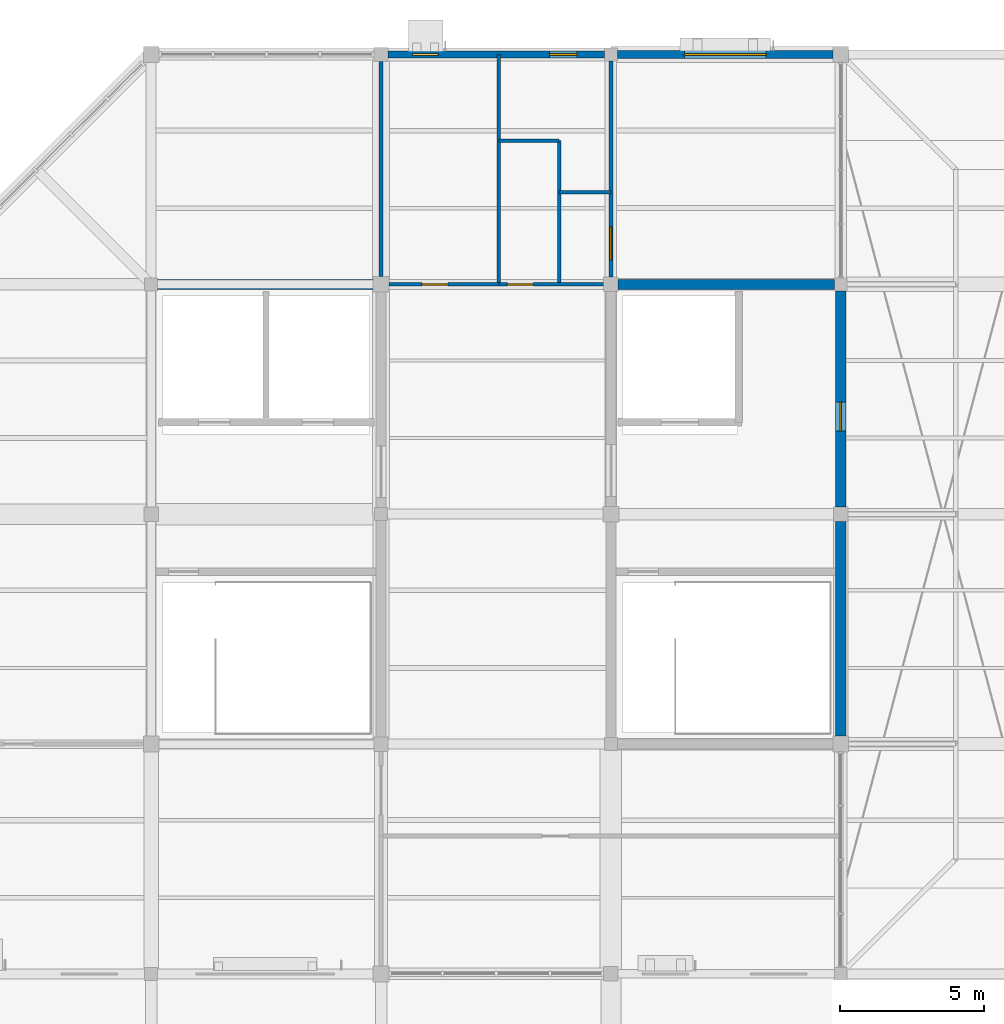
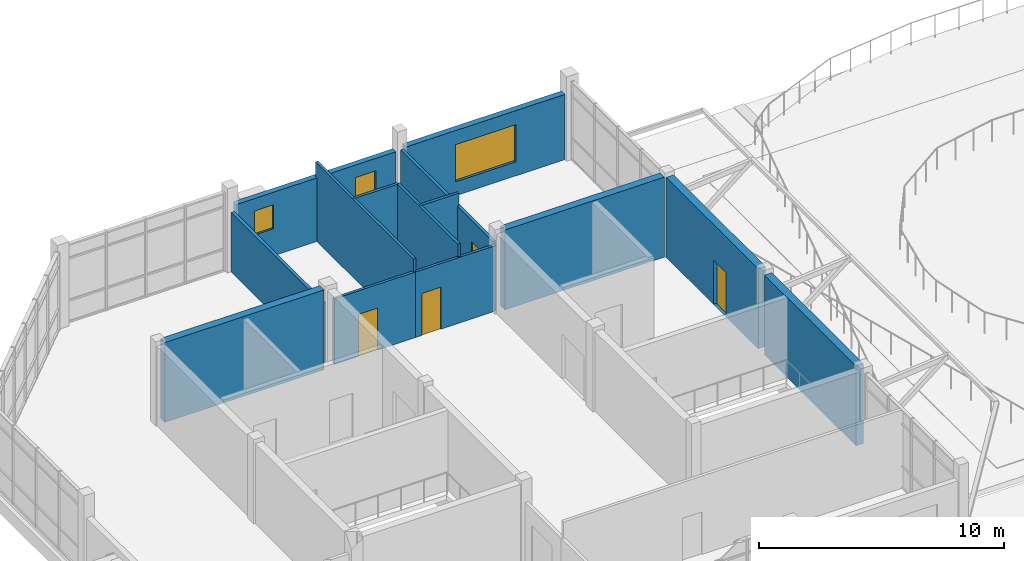
# One storey, part 40 of 44: 14 walls, 4 doors, 3 windows, 7 openings.
"""IFC4 building model written with IfcOpenShell, lengths in metres."""

from ifc_helpers import new_model, si_unit, direction, frame, frame_2d, origin, place, context, subcontext, project, spatial, rectangle, extrude, material, layer, layer_set, type_object, element, fill, save


model = new_model("IFC4")

# Units and contexts
model_context = context("Model", 3, precision=1e-05, world=origin(), true_north=direction((0.0, 1.0)))
body_context = subcontext(model_context, "Body", "Model", "MODEL_VIEW")
ifc_project = project(units=[si_unit("LENGTHUNIT", "METRE"), si_unit("AREAUNIT", "SQUARE_METRE"), si_unit("VOLUMEUNIT", "CUBIC_METRE"), si_unit("PLANEANGLEUNIT", "RADIAN"), si_unit("MASSUNIT", "GRAM", prefix="KILO")], contexts=[model_context])

# Site, building, storey
site_placement = place(None, origin())
site = spatial("IfcSite", under=ifc_project, at=site_placement, CompositionType="ELEMENT")
building_placement = place(site_placement, origin())
building = spatial("IfcBuilding", under=site, at=building_placement, Name="Tenunan Teduh Sports Hall", CompositionType="ELEMENT")
storey_placement = place(building_placement, frame((0.0, 0.0, 19.199951171875)))
storey = spatial("IfcBuildingStorey", under=building, at=storey_placement, Name="L04", CompositionType="ELEMENT", Elevation=19.199951171875)

# Wall, openings, windows
ifc_material_1 = material(Name="Precast concrete C40/50", Category="concrete")
ifc_layer_1 = layer(ifc_material_1, 0.25)
ifc_layer_set_1 = layer_set([ifc_layer_1], Name="Precast concrete C40/50")
wall_type_1 = type_object("IfcWallType", Name="WL-EXT-250", PredefinedType="SOLIDWALL", material=ifc_layer_set_1)
wall_1_placement = place(storey_placement, frame((22.25, 118.0, 0.0), z_axis=(0.0, 0.0, 1.0), x_axis=(1.0, 0.0, 0.0)))
wall_1 = element("IfcWall", 1, at=wall_1_placement, inside=storey, type_object=wall_type_1, Name="WL-EXT-L04-211", PredefinedType="SOLIDWALL", context=body_context, shape_type="SweptSolid", body=[
    extrude(rectangle(XDim=7.52490234375, YDim=0.25, at=frame_2d((3.762451171875, 0.0))), origin(), (0.0, 0.0, 1.0), 3.170166015625),
])
opening_1_placement = place(wall_1_placement, frame((0.85009765625, 0.0, 1.35009765625)))
opening_1 = element("IfcOpeningElement", 2, at=opening_1_placement, cuts=wall_1, Name="Opening W-08", PredefinedType="OPENING", context=body_context, shape_type="SweptSolid", body=[
    extrude(rectangle(XDim=0.89990234375, YDim=1.199951171875, at=frame_2d((0.449951171875, 0.60009765625))), frame((0.0, 0.135009765625, 0.0), z_axis=(0.0, -1.0, 0.0), x_axis=(1.0, 0.0, 0.0)), (0.0, 0.0, 1.0), 0.27001953125),
])
opening_2_placement = place(wall_1_placement, frame((5.6201171875, 0.0, 0.89990234375)))
opening_2 = element("IfcOpeningElement", 3, at=opening_2_placement, cuts=wall_1, Name="Opening W-17", PredefinedType="OPENING", context=body_context, shape_type="SweptSolid", body=[
    extrude(rectangle(XDim=0.949951171875, YDim=1.64990234375, at=frame_2d((0.47509765625, 0.824951171875))), frame((0.0, 0.135009765625, 0.0), z_axis=(0.0, -1.0, 0.0), x_axis=(1.0, 0.0, 0.0)), (0.0, 0.0, 1.0), 0.27001953125),
])
ifc_material_2 = material(Name="Thermally broken aluminium and Low-E glazing", Category="aluminium")
window_type_1 = type_object("IfcWindowType", Name="WIN-08", PartitioningType="SINGLE_PANEL", PredefinedType="WINDOW", material=ifc_material_2)
window_1_placement = place(opening_1_placement, origin())
window_1 = element("IfcWindow", 4, at=window_1_placement, inside=storey, type_object=window_type_1, Name="WIN-L04-113", OverallHeight=1.199951171875, OverallWidth=0.89990234375, PartitioningType="SINGLE_PANEL", PredefinedType="WINDOW", context=body_context, shape_type="SweptSolid", body=[
    extrude(rectangle(XDim=0.89990234375, YDim=1.199951171875, at=frame_2d((0.449951171875, 0.60009765625))), frame((0.0, 0.030029296875, 0.0), z_axis=(0.0, -1.0, 0.0), x_axis=(1.0, 0.0, 0.0)), (0.0, 0.0, 1.0), 0.06005859375),
])
fill(opening_1, window_1)
ifc_material_3 = material(Name="Thermally broken aluminium and Low-E glazing", Category="aluminium")
window_type_2 = type_object("IfcWindowType", Name="WIN-17", PartitioningType="SINGLE_PANEL", PredefinedType="WINDOW", material=ifc_material_3)
window_2_placement = place(opening_2_placement, origin())
window_2 = element("IfcWindow", 5, at=window_2_placement, inside=storey, type_object=window_type_2, Name="WIN-L04-114", OverallHeight=1.64990234375, OverallWidth=0.949951171875, PartitioningType="SINGLE_PANEL", PredefinedType="WINDOW", context=body_context, shape_type="SweptSolid", body=[
    extrude(rectangle(XDim=0.949951171875, YDim=1.64990234375, at=frame_2d((0.47509765625, 0.824951171875))), frame((0.0, 0.030029296875, 0.0), z_axis=(0.0, -1.0, 0.0), x_axis=(1.0, 0.0, 0.0)), (0.0, 0.0, 1.0), 0.06005859375),
])
fill(opening_2, window_2)

# Wall, opening, window
ifc_material_4 = material(Name="Concrete C40/50", Category="concrete")
ifc_layer_2 = layer(ifc_material_4, 0.280029296875)
ifc_layer_set_2 = layer_set([ifc_layer_2], Name="Concrete C40/50")
wall_type_2 = type_object("IfcWallType", Name="WL-EXT-280", PredefinedType="SOLIDWALL", material=ifc_layer_set_2)
wall_2_placement = place(storey_placement, frame((30.22509765625, 118.0, 0.0), z_axis=(0.0, 0.0, 1.0), x_axis=(1.0, 0.0, 0.0)))
wall_2 = element("IfcWall", 6, at=wall_2_placement, inside=storey, type_object=wall_type_2, Name="WL-EXT-L04-212", PredefinedType="SOLIDWALL", context=body_context, shape_type="SweptSolid", body=[
    extrude(rectangle(XDim=7.5, YDim=0.280029296875, at=frame_2d((3.75, 0.0))), origin(), (0.0, 0.0, 1.0), 3.25),
])
opening_3_placement = place(wall_2_placement, frame((2.330078125, 0.0, 0.699951171875)))
opening_3 = element("IfcOpeningElement", 7, at=opening_3_placement, cuts=wall_2, Name="Opening W-23", PredefinedType="OPENING", context=body_context, shape_type="SweptSolid", body=[
    extrude(rectangle(XDim=2.85009765625, YDim=1.85009765625, at=frame_2d((1.425048828125, 0.925048828125))), frame((0.0, 0.14990234375, 0.0), z_axis=(0.0, -1.0, 0.0), x_axis=(1.0, 0.0, 0.0)), (0.0, 0.0, 1.0), 0.300048828125),
])
ifc_material_5 = material(Name="Thermally broken aluminium and Low-E glazing", Category="aluminium")
window_type_3 = type_object("IfcWindowType", Name="WIN-23", PartitioningType="TRIPLE_PANEL_VERTICAL", PredefinedType="WINDOW", material=ifc_material_5)
window_3_placement = place(opening_3_placement, origin())
window_3 = element("IfcWindow", 8, at=window_3_placement, inside=storey, type_object=window_type_3, Name="WIN-L04-115", OverallHeight=1.85009765625, OverallWidth=2.85009765625, PartitioningType="SINGLE_PANEL", PredefinedType="WINDOW", context=body_context, shape_type="SweptSolid", body=[
    extrude(rectangle(XDim=2.85009765625, YDim=1.85009765625, at=frame_2d((1.425048828125, 0.925048828125))), frame((0.0, 0.030029296875, 0.0), z_axis=(0.0, -1.0, 0.0), x_axis=(1.0, 0.0, 0.0)), (0.0, 0.0, 1.0), 0.06005859375),
])
fill(opening_3, window_3)

# Wall, opening, door
ifc_material_6 = material(Name="Moisture-resistant masonry", Category="masonry")
ifc_layer_3 = layer(ifc_material_6, 0.125)
ifc_layer_set_3 = layer_set([ifc_layer_3], Name="Moisture-resistant masonry")
wall_type_3 = type_object("IfcWallType", Name="WL-PRT-125", PredefinedType="PARTITIONING", material=ifc_layer_set_3)
wall_3_placement = place(storey_placement, frame((22.27490234375, 110.0, 0.0), z_axis=(0.0, 0.0, 1.0), x_axis=(1.0, 0.0, 0.0)))
wall_3 = element("IfcWall", 9, at=wall_3_placement, inside=storey, type_object=wall_type_3, Name="WL-PRT-L04-471", PredefinedType="PARTITIONING", context=body_context, shape_type="SweptSolid", body=[
    extrude(rectangle(XDim=3.8251953125, YDim=0.125, at=frame_2d((1.91259765625, 0.0))), origin(), (0.0, 0.0, 1.0), 3.27001953125),
])
opening_4_placement = place(wall_3_placement, frame((1.14990234375, 0.0, 0.0)))
opening_4 = element("IfcOpeningElement", 10, at=opening_4_placement, cuts=wall_3, Name="Opening ID-02", PredefinedType="OPENING", context=body_context, shape_type="SweptSolid", body=[
    extrude(rectangle(XDim=0.89990234375, YDim=2.10009765625, at=frame_2d((0.449951171875, 1.050048828125))), frame((0.0, 0.072509765625, 0.0), z_axis=(0.0, -1.0, 0.0), x_axis=(1.0, 0.0, 0.0)), (0.0, 0.0, 1.0), 0.14501953125),
])
ifc_material_7 = material(Name="Moisture-resistant HPL leaf")
door_type_1 = type_object("IfcDoorType", Name="IDR-02", OperationType="SINGLE_SWING_RIGHT", PredefinedType="DOOR", material=ifc_material_7)
door_1_placement = place(opening_4_placement, frame((0.89990234375, 0.0, 0.0), z_axis=(0.0, 0.0, 1.0), x_axis=(-1.0, 0.0, 0.0)))
door_1 = element("IfcDoor", 11, at=door_1_placement, inside=storey, type_object=door_type_1, Name="DR-INT-L04-184", OperationType="SINGLE_SWING_RIGHT", OverallHeight=2.10009765625, OverallWidth=0.89990234375, PredefinedType="DOOR", context=body_context, shape_type="SweptSolid", body=[
    extrude(rectangle(XDim=0.89990234375, YDim=2.10009765625, at=frame_2d((0.449951171875, 1.050048828125))), frame((0.0, 0.02490234375, 0.0), z_axis=(0.0, -1.0, 0.0), x_axis=(1.0, 0.0, 0.0)), (0.0, 0.0, 1.0), 0.050048828125),
])
fill(opening_4, door_1)

wall_4_placement = place(storey_placement, frame((26.10009765625, 110.0, 0.0), z_axis=(0.0, 0.0, 1.0), x_axis=(1.0, 0.0, 0.0)))
wall_4 = element("IfcWall", 12, at=wall_4_placement, inside=storey, type_object=wall_type_3, Name="WL-PRT-L04-472", PredefinedType="PARTITIONING", context=body_context, shape_type="SweptSolid", body=[
    extrude(rectangle(XDim=3.7998046875, YDim=0.125, at=frame_2d((1.89990234375, 0.0))), origin(), (0.0, 0.0, 1.0), 3.27001953125),
])
opening_5_placement = place(wall_4_placement, frame((0.300048828125, 0.0, 0.0)))
opening_5 = element("IfcOpeningElement", 13, at=opening_5_placement, cuts=wall_4, Name="Opening ID-02", PredefinedType="OPENING", context=body_context, shape_type="SweptSolid", body=[
    extrude(rectangle(XDim=0.89990234375, YDim=2.10009765625, at=frame_2d((0.449951171875, 1.050048828125))), frame((0.0, 0.072509765625, 0.0), z_axis=(0.0, -1.0, 0.0), x_axis=(1.0, 0.0, 0.0)), (0.0, 0.0, 1.0), 0.14501953125),
])
door_2_placement = place(opening_5_placement, frame((0.89990234375, 0.0, 0.0), z_axis=(0.0, 0.0, 1.0), x_axis=(-1.0, 0.0, 0.0)))
door_2 = element("IfcDoor", 14, at=door_2_placement, inside=storey, type_object=door_type_1, Name="DR-INT-L04-185", OperationType="SINGLE_SWING_LEFT", OverallHeight=2.10009765625, OverallWidth=0.89990234375, PredefinedType="DOOR", context=body_context, shape_type="SweptSolid", body=[
    extrude(rectangle(XDim=0.89990234375, YDim=2.10009765625, at=frame_2d((0.449951171875, 1.050048828125))), frame((0.0, 0.02490234375, 0.0), z_axis=(0.0, -1.0, 0.0), x_axis=(1.0, 0.0, 0.0)), (0.0, 0.0, 1.0), 0.050048828125),
])
fill(opening_5, door_2)

# Walls
wall_5_placement = place(storey_placement, frame((26.10009765625, 110.0, 0.0), z_axis=(0.0, 0.0, 1.0), x_axis=(0.0, 1.0, 0.0)))
element("IfcWall", 15, at=wall_5_placement, inside=storey, type_object=wall_type_3, Name="WL-PRT-L04-473", PredefinedType="PARTITIONING", context=body_context, shape_type="SweptSolid", body=[
    extrude(rectangle(XDim=8.0, YDim=0.125, at=frame_2d((4.0, 0.0))), origin(), (0.0, 0.0, 1.0), 3.900146484375),
])
wall_6_placement = place(storey_placement, frame((28.199951171875, 110.0, 0.0), z_axis=(0.0, 0.0, 1.0), x_axis=(0.0, 1.0, 0.0)))
element("IfcWall", 16, at=wall_6_placement, inside=storey, type_object=wall_type_3, Name="WL-PRT-L04-474", PredefinedType="PARTITIONING", context=body_context, shape_type="SweptSolid", body=[
    extrude(rectangle(XDim=5.0, YDim=0.125, at=frame_2d((2.5, 0.0))), origin(), (0.0, 0.0, 1.0), 3.900146484375),
])
wall_7_placement = place(storey_placement, frame((28.199951171875, 113.199951171875, 0.0), z_axis=(0.0, 0.0, 1.0), x_axis=(1.0, 0.0, 0.0)))
element("IfcWall", 17, at=wall_7_placement, inside=storey, type_object=wall_type_3, Name="WL-PRT-L04-475", PredefinedType="PARTITIONING", context=body_context, shape_type="SweptSolid", body=[
    extrude(rectangle(XDim=1.800048828125, YDim=0.125, at=frame_2d((0.89990234375, 0.0))), origin(), (0.0, 0.0, 1.0), 3.900146484375),
])
wall_8_placement = place(storey_placement, frame((26.10009765625, 115.0, 0.0), z_axis=(0.0, 0.0, 1.0), x_axis=(1.0, 0.0, 0.0)))
element("IfcWall", 18, at=wall_8_placement, inside=storey, type_object=wall_type_3, Name="WL-PRT-L04-477", PredefinedType="PARTITIONING", context=body_context, shape_type="SweptSolid", body=[
    extrude(rectangle(XDim=2.099853515625, YDim=0.125, at=frame_2d((1.0498046875, 0.0))), origin(), (0.0, 0.0, 1.0), 3.900146484375),
])

# Wall, opening, door
ifc_material_8 = material(Name="Acoustic stud and fireboard")
ifc_layer_4 = layer(ifc_material_8, 0.139892578125)
ifc_layer_set_4 = layer_set([ifc_layer_4], Name="Acoustic stud and fireboard")
wall_type_4 = type_object("IfcWallType", Name="WL-PRT-140", PredefinedType="PARTITIONING", material=ifc_layer_set_4)
wall_9_placement = place(storey_placement, frame((30.0, 110.25, 0.0), z_axis=(0.0, 0.0, 1.0), x_axis=(0.0, 1.0, 0.0)))
wall_9 = element("IfcWall", 19, at=wall_9_placement, inside=storey, type_object=wall_type_4, Name="WL-PRT-L04-476", PredefinedType="PARTITIONING", context=body_context, shape_type="SweptSolid", body=[
    extrude(rectangle(XDim=7.52490234375, YDim=0.139892578125, at=frame_2d((3.762451171875, 0.0))), origin(), (0.0, 0.0, 1.0), 3.27001953125),
])
opening_6_placement = place(wall_9_placement, frame((0.60009765625, 0.0, 0.0)))
opening_6 = element("IfcOpeningElement", 20, at=opening_6_placement, cuts=wall_9, Name="Opening FD-07", PredefinedType="OPENING", context=body_context, shape_type="SweptSolid", body=[
    extrude(rectangle(XDim=1.14990234375, YDim=2.199951171875, at=frame_2d((0.574951171875, 1.10009765625))), frame((0.0, 0.079833984375, 0.0), z_axis=(0.0, -1.0, 0.0), x_axis=(1.0, 0.0, 0.0)), (0.0, 0.0, 1.0), 0.159912109375),
])
ifc_material_9 = material(Name="Fire-rated timber leaf", Category="wood")
door_type_2 = type_object("IfcDoorType", Name="FDR-07", OperationType="SINGLE_SWING_LEFT", PredefinedType="DOOR", material=ifc_material_9)
door_3_placement = place(opening_6_placement, frame((1.14990234375, 0.0, 0.0), z_axis=(0.0, 0.0, 1.0), x_axis=(-1.0, 0.0, 0.0)))
door_3 = element("IfcDoor", 21, at=door_3_placement, inside=storey, type_object=door_type_2, Name="DR-INT-L04-186", OperationType="SINGLE_SWING_LEFT", OverallHeight=2.199951171875, OverallWidth=1.14990234375, PredefinedType="DOOR", context=body_context, shape_type="SweptSolid", body=[
    extrude(rectangle(XDim=1.14990234375, YDim=2.199951171875, at=frame_2d((0.574951171875, 1.10009765625))), frame((0.0, 0.02490234375, 0.0), z_axis=(0.0, -1.0, 0.0), x_axis=(1.0, 0.0, 0.0)), (0.0, 0.0, 1.0), 0.050048828125),
])
fill(opening_6, door_3)

# Walls
ifc_material_10 = material(Name="Acoustic stud and double plasterboard")
ifc_layer_5 = layer(ifc_material_10, 0.14990234375)
ifc_layer_set_5 = layer_set([ifc_layer_5], Name="Acoustic stud and double plasterboard")
wall_type_5 = type_object("IfcWallType", Name="WL-PRT-150", PredefinedType="PARTITIONING", material=ifc_layer_set_5)
wall_10_placement = place(storey_placement, frame((22.0, 110.27490234375, 0.0), z_axis=(0.0, 0.0, 1.0), x_axis=(0.0, 1.0, 0.0)))
element("IfcWall", 22, at=wall_10_placement, inside=storey, type_object=wall_type_5, Name="WL-PRT-L04-470", PredefinedType="PARTITIONING", context=body_context, shape_type="SweptSolid", body=[
    extrude(rectangle(XDim=7.47509765625, YDim=0.14990234375, at=frame_2d((3.737548828125, 0.0))), origin(), (0.0, 0.0, 1.0), 2.969970703125),
])
ifc_material_11 = material(Name="Concrete C40/50", Category="concrete")
ifc_layer_6 = layer(ifc_material_11, 0.35009765625)
ifc_layer_set_6 = layer_set([ifc_layer_6], Name="Concrete C40/50")
wall_type_6 = type_object("IfcWallType", Name="WL-SHR-350", PredefinedType="SHEAR", material=ifc_layer_set_6)
wall_11_placement = place(storey_placement, frame((14.22509765625, 110.0, 0.0), z_axis=(0.0, 0.0, 1.0), x_axis=(1.0, 0.0, 0.0)))
element("IfcWall", 23, at=wall_11_placement, inside=storey, type_object=wall_type_6, Name="WL-COR-L04-047", PredefinedType="SHEAR", context=body_context, shape_type="SweptSolid", body=[
    extrude(rectangle(XDim=7.5, YDim=0.35009765625, at=frame_2d((3.75, 0.0))), origin(), (0.0, 0.0, 1.0), 3.97998046875),
])
wall_12_placement = place(storey_placement, frame((30.25, 110.0, 0.0), z_axis=(0.0, 0.0, 1.0), x_axis=(1.0, 0.0, 0.0)))
element("IfcWall", 24, at=wall_12_placement, inside=storey, type_object=wall_type_6, Name="WL-COR-L04-101", PredefinedType="SHEAR", context=body_context, shape_type="SweptSolid", body=[
    extrude(rectangle(XDim=7.52490234375, YDim=0.35009765625, at=frame_2d((3.762451171875, 0.0))), origin(), (0.0, 0.0, 1.0), 3.97998046875),
])
wall_13_placement = place(storey_placement, frame((38.0, 94.27490234375, 0.0), z_axis=(0.0, 0.0, 1.0), x_axis=(0.0, 1.0, 0.0)))
element("IfcWall", 25, at=wall_13_placement, inside=storey, type_object=wall_type_6, Name="WL-COR-L04-104", PredefinedType="SHEAR", context=body_context, shape_type="SweptSolid", body=[
    extrude(rectangle(XDim=7.47509765625, YDim=0.35009765625, at=frame_2d((3.737548828125, 0.0))), origin(), (0.0, 0.0, 1.0), 3.97998046875),
])

# Wall, opening, door
wall_14_placement = place(storey_placement, frame((38.0, 102.25, 0.0), z_axis=(0.0, 0.0, 1.0), x_axis=(0.0, 1.0, 0.0)))
wall_14 = element("IfcWall", 26, at=wall_14_placement, inside=storey, type_object=wall_type_6, Name="WL-COR-L04-105", PredefinedType="SHEAR", context=body_context, shape_type="SweptSolid", body=[
    extrude(rectangle(XDim=7.52490234375, YDim=0.35009765625, at=frame_2d((3.762451171875, 0.0))), origin(), (0.0, 0.0, 1.0), 3.97998046875),
])
opening_7_placement = place(wall_14_placement, frame((2.64990234375, 0.0, 0.0)))
opening_7 = element("IfcOpeningElement", 27, at=opening_7_placement, cuts=wall_14, Name="Opening FD-01", PredefinedType="OPENING", context=body_context, shape_type="SweptSolid", body=[
    extrude(rectangle(XDim=1.0, YDim=2.199951171875, at=frame_2d((0.5, 1.10009765625))), frame((0.0, 0.18505859375, 0.0), z_axis=(0.0, -1.0, 0.0), x_axis=(1.0, 0.0, 0.0)), (0.0, 0.0, 1.0), 0.3701171875),
])
ifc_material_12 = material(Name="Fire-rated steel leaf and frame", Category="steel")
door_type_3 = type_object("IfcDoorType", Name="FDR-01", OperationType="SINGLE_SWING_LEFT", PredefinedType="DOOR", material=ifc_material_12)
door_4_placement = place(opening_7_placement, frame((1.0, 0.0, 0.0), z_axis=(0.0, 0.0, 1.0), x_axis=(-1.0, 0.0, 0.0)))
door_4 = element("IfcDoor", 28, at=door_4_placement, inside=storey, type_object=door_type_3, Name="DR-INT-L04-041", OperationType="SINGLE_SWING_RIGHT", OverallHeight=2.199951171875, OverallWidth=1.0, PredefinedType="DOOR", context=body_context, shape_type="SweptSolid", body=[
    extrude(rectangle(XDim=1.0, YDim=2.199951171875, at=frame_2d((0.5, 1.10009765625))), frame((0.0, 0.02490234375, 0.0), z_axis=(0.0, -1.0, 0.0), x_axis=(1.0, 0.0, 0.0)), (0.0, 0.0, 1.0), 0.050048828125),
])
fill(opening_7, door_4)

save(model, "model.ifc")
